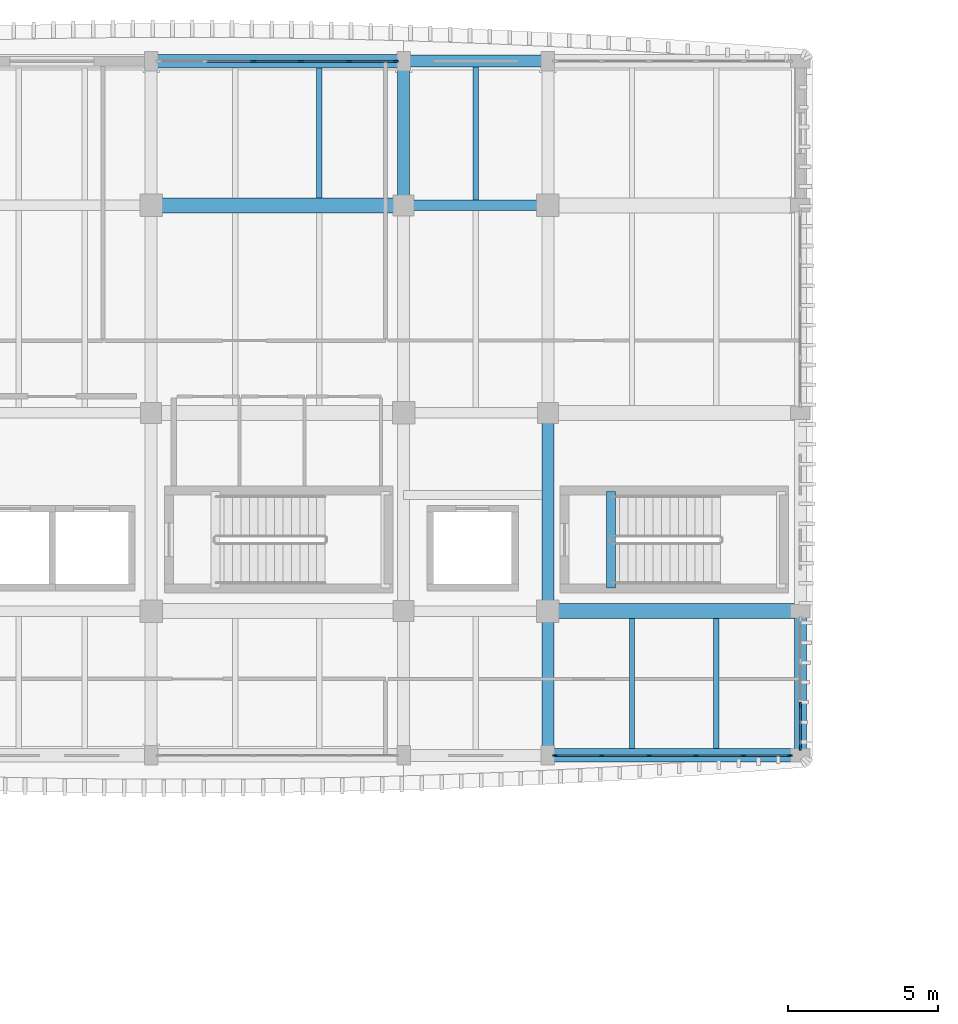
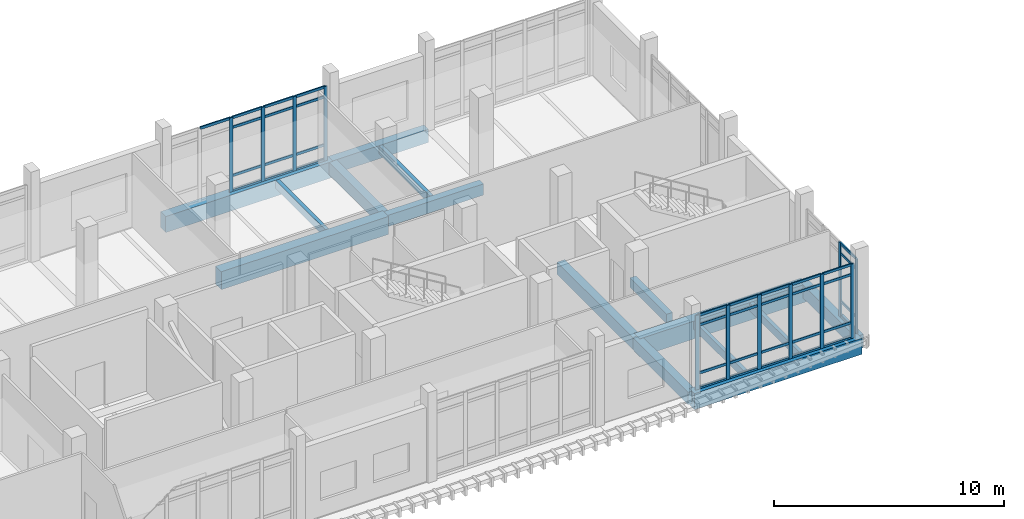
# One storey, part 5 of 37: 49 members, 15 beams, 3 elements without a shape of their own.
"""IFC4 building model written with IfcOpenShell, lengths in metres."""

import ifcopenshell
import ifcopenshell.guid

model = None  # the IFC model being written
_history = None  # IfcOwnerHistory: only IFC2X3 demands one
_inside = {}  # id of a spatial element -> (the spatial element, [elements in it])
_under = {}  # id of a project, library or spatial element -> (it, [spatial elements below it])
_declared = {}  # id of a project -> (the project, [libraries it declares])
_typed = {}  # id of a type object -> (the type object, [elements of that type])
_made_of = {}  # id of a material, layer set ... -> (it, [elements and type objects made of it])


def new_model(schema):
    """Start an empty IFC model of exactly this schema.

    Asked for "IFC4X3", IfcOpenShell would pick the latest addendum, in which some entities
    have other attributes; the version numbers below select the first issue.
    IFC2X3 requires an IfcOwnerHistory on every rooted entity: one is made here for all.
    """
    global model, _history
    if schema == "IFC4X3":
        model = ifcopenshell.file(schema_version=(4, 3, 0, 0))
    else:
        model = ifcopenshell.file(schema=schema)
    _inside.clear()
    _under.clear()
    _declared.clear()
    _typed.clear()
    _made_of.clear()
    _history = None
    if model.schema == "IFC2X3":
        org = make("IfcOrganization", Name="unknown")
        user = make(
            "IfcPersonAndOrganization",
            ThePerson=make("IfcPerson", FamilyName="unknown"),
            TheOrganization=org,
        )
        app = make(
            "IfcApplication",
            ApplicationDeveloper=org,
            Version="unknown",
            ApplicationFullName="unknown",
            ApplicationIdentifier="unknown",
        )
        _history = make(
            "IfcOwnerHistory",
            OwningUser=user,
            OwningApplication=app,
            ChangeAction="ADDED",
            CreationDate=0,
        )
    return model


def make(cls, **values):
    """One entity of the class cls with the attributes given. An attribute that is None is left unset."""
    return model.create_entity(
        cls, **{name: value for name, value in values.items() if value is not None}
    )


def rooted(cls, **values):
    """An entity with a GlobalId (a new one), such as an element, a storey or a relation."""
    return make(cls, GlobalId=ifcopenshell.guid.new(), OwnerHistory=_history, **values)


def si_unit(unit_type, name, prefix=None):
    """IfcSIUnit, for example si_unit("LENGTHUNIT", "METRE", prefix="MILLI")."""
    return make("IfcSIUnit", UnitType=unit_type, Prefix=prefix, Name=name)


def assignment(units):
    """IfcUnitAssignment: the units of a project."""
    return None if units is None else make("IfcUnitAssignment", Units=units)


def point(xyz):
    """IfcCartesianPoint."""
    return None if xyz is None else make("IfcCartesianPoint", Coordinates=xyz)


def direction(xyz):
    """IfcDirection."""
    return None if xyz is None else make("IfcDirection", DirectionRatios=xyz)


def frame(location, z_axis=None, x_axis=None):
    """IfcAxis2Placement3D, a coordinate frame: its origin and axes. An axis left out is left unset."""
    return make(
        "IfcAxis2Placement3D",
        Location=point(location),
        Axis=direction(z_axis),
        RefDirection=direction(x_axis),
    )


def frame_2d(location, x_axis=None):
    """IfcAxis2Placement2D, a coordinate frame in the plane: its origin and x axis."""
    return make(
        "IfcAxis2Placement2D", Location=point(location), RefDirection=direction(x_axis)
    )


def origin():
    """The frame at (0, 0, 0) with its axes left unset."""
    return frame((0.0, 0.0, 0.0))


def origin_2d():
    """The frame at (0, 0) in the plane with its x axis left unset."""
    return frame_2d((0.0, 0.0))


def place(relative_to, where):
    """IfcLocalPlacement: puts the frame where relative to a parent placement (None: the world)."""
    return make(
        "IfcLocalPlacement", PlacementRelTo=relative_to, RelativePlacement=where
    )


def context(
    kind, dimensions, precision=None, world=None, true_north=None, identifier=None
):
    """IfcGeometricRepresentationContext, for example the 3D "Model" context."""
    return make(
        "IfcGeometricRepresentationContext",
        ContextIdentifier=identifier,
        ContextType=kind,
        CoordinateSpaceDimension=dimensions,
        Precision=precision,
        WorldCoordinateSystem=world,
        TrueNorth=true_north,
    )


def subcontext(parent, identifier, kind, view, scale=None):
    """IfcGeometricRepresentationSubContext, for example "Body" below "Model"."""
    return make(
        "IfcGeometricRepresentationSubContext",
        ContextIdentifier=identifier,
        ContextType=kind,
        ParentContext=parent,
        TargetScale=scale,
        TargetView=view,
    )


def project(units=None, contexts=None):
    """IfcProject with its units and contexts."""
    return rooted(
        "IfcProject",
        Name="project",
        RepresentationContexts=contexts,
        UnitsInContext=assignment(units),
    )


def spatial(cls, under=None, at=None, **own):
    """A site, building, storey or space (cls), placed at a placement, below another one or the project."""
    s = rooted(cls, ObjectPlacement=at, **own)
    if under is not None:
        _under.setdefault(under.id(), (under, []))[1].append(s)
    return s


def profile(cls, at=None, kind="AREA", **sizes):
    """A parametric profile (cls). Its sizes go by their IFC names, for example OverallWidth=200.0."""
    return make(cls, ProfileType=kind, Position=at, **sizes)


def rectangle(**sizes):
    """IfcRectangleProfileDef."""
    return profile("IfcRectangleProfileDef", **sizes)


def extrude(swept, where, along, depth):
    """IfcExtrudedAreaSolid: the profile swept, set in the frame where, extruded along a direction by depth."""
    return make(
        "IfcExtrudedAreaSolid",
        SweptArea=swept,
        Position=where,
        ExtrudedDirection=direction(along),
        Depth=depth,
    )


def shape(context_of_items, identifier, shape_type, items):
    """IfcShapeRepresentation: the items that make up one representation, for example the "Body"."""
    return make(
        "IfcShapeRepresentation",
        ContextOfItems=context_of_items,
        RepresentationIdentifier=identifier,
        RepresentationType=shape_type,
        Items=items,
    )


def material(Name=None, Category=None):
    """IfcMaterial."""
    return make("IfcMaterial", Name=Name, Category=Category)


def material_profile(
    of_material, cross_section, Name=None, Category=None, Priority=None
):
    """IfcMaterialProfile: a cross section and its material."""
    return make(
        "IfcMaterialProfile",
        Name=Name,
        Material=of_material,
        Profile=cross_section,
        Priority=Priority,
        Category=Category,
    )


def profile_set(profiles, Name=None, composite=None):
    """IfcMaterialProfileSet."""
    return make(
        "IfcMaterialProfileSet",
        Name=Name,
        MaterialProfiles=profiles,
        CompositeProfile=composite,
    )


def made_of(thing, what):
    """Note that an element or type object is made of a material, layer set ...; save() writes the relation."""
    if what is not None:
        _made_of.setdefault(what.id(), (what, []))[1].append(thing)
    return thing


def type_object(cls, material=None, **own):
    """A type object (cls), such as IfcWallType, which elements share."""
    return made_of(rooted(cls, **own), material)


def element(
    cls,
    number,
    at=None,
    inside=None,
    cuts=None,
    type_object=None,
    material=None,
    context=None,
    identifier="Body",
    shape_type=None,
    held_by="IfcProductDefinitionShape",
    body=None,
    shapes=None,
    **own,
):
    """One element of the class cls, such as IfcWall. Its Tag is "e" and its number.

    at: its placement. inside: the storey or other place that contains it. cuts: it is an
    opening in that element (IfcRelVoidsElement). A single representation is given by context,
    identifier, shape_type and body (its items); several are given by shapes. held_by: the class
    of the entity that holds the representations. save() writes the other relations.
    """
    e = rooted(cls, Tag="e%d" % number, ObjectPlacement=at, **own)
    if body is not None:
        shapes = [shape(context, identifier, shape_type, body)]
    if shapes is not None:
        e.Representation = make(held_by, Representations=shapes)
    if inside is not None:
        _inside.setdefault(inside.id(), (inside, []))[1].append(e)
    if cuts is not None:
        rooted(
            "IfcRelVoidsElement", RelatingBuildingElement=cuts, RelatedOpeningElement=e
        )
    if type_object is not None:
        _typed.setdefault(type_object.id(), (type_object, []))[1].append(e)
    return made_of(e, material)


def aggregate(whole, parts):
    """IfcRelAggregates: a whole, such as a stair, and the parts it consists of."""
    return rooted("IfcRelAggregates", RelatingObject=whole, RelatedObjects=parts)


def save(model, path):
    """Write the relations noted so far, then the file.

    IfcRelAggregates (storeys below a building ...), IfcRelContainedInSpatialStructure (elements
    in a storey), IfcRelDefinesByType, IfcRelAssociatesMaterial and IfcRelDeclares: one each for
    every whole, place, type object, material and project.
    """
    for whole, parts in _under.values():
        aggregate(whole, parts)
    for where, things in _inside.values():
        rooted(
            "IfcRelContainedInSpatialStructure",
            RelatedElements=things,
            RelatingStructure=where,
        )
    for kind, things in _typed.values():
        rooted("IfcRelDefinesByType", RelatedObjects=things, RelatingType=kind)
    for what, things in _made_of.values():
        rooted("IfcRelAssociatesMaterial", RelatedObjects=things, RelatingMaterial=what)
    for by, libraries in _declared.values():
        rooted("IfcRelDeclares", RelatingContext=by, RelatedDefinitions=libraries)
    model.write(path)


model = new_model("IFC4")

# Units and contexts
model_context = context("Model", 3, precision=1e-05, world=origin(), true_north=direction((0.0, 1.0)))
body_context = subcontext(model_context, "Body", "Model", "MODEL_VIEW")
ifc_project = project(units=[si_unit("LENGTHUNIT", "METRE"), si_unit("AREAUNIT", "SQUARE_METRE"), si_unit("VOLUMEUNIT", "CUBIC_METRE"), si_unit("PLANEANGLEUNIT", "RADIAN"), si_unit("MASSUNIT", "GRAM", prefix="KILO")], contexts=[model_context])

# Site, building, storey
site_placement = place(None, origin())
site = spatial("IfcSite", under=ifc_project, at=site_placement, CompositionType="ELEMENT")
building_placement = place(site_placement, origin())
building = spatial("IfcBuilding", under=site, at=building_placement, Name="Dornvale Research Institute", CompositionType="ELEMENT")
storey_placement = place(building_placement, frame((0.0, 0.0, 29.39990234375)))
storey = spatial("IfcBuildingStorey", under=building, at=storey_placement, Name="L06", CompositionType="ELEMENT", Elevation=29.39990234375)

# Beams
ifc_material_1 = material(Name="Concrete f'c 45 MPa (C35/45)", Category="concrete")
ifc_material_profile_1 = material_profile(ifc_material_1, rectangle(XDim=0.300048828125, YDim=0.5, at=origin_2d()), Name="RC 300x500")
ifc_profile_set_1 = profile_set([ifc_material_profile_1], Name="Concrete f'c 45 MPa (C35/45)")
beam_type_1 = type_object("IfcBeamType", Name="Beam_RC300x500_Trim", PredefinedType="BEAM", material=ifc_profile_set_1)
beam_1_placement = place(storey_placement, frame((35.10009765625, 104.580078125, -0.25), z_axis=(0.0, 1.0, 0.0), x_axis=(-1.0, 0.0, 0.0)))
element("IfcBeam", 1, at=beam_1_placement, inside=storey, type_object=beam_type_1, Name="L06 ST-2 stair landing trimmer beam #30", PredefinedType="BEAM", context=body_context, shape_type="SweptSolid", body=[
    extrude(rectangle(XDim=0.300048828125, YDim=0.5, at=origin_2d()), origin(), (0.0, 0.0, 1.0), 3.199951171875),
])
ifc_material_2 = material(Name="Concrete f'c 45 MPa (C35/45)", Category="concrete")
ifc_material_profile_2 = material_profile(ifc_material_2, rectangle(XDim=0.35009765625, YDim=0.60009765625, at=origin_2d()), Name="RC 350x600")
ifc_profile_set_2 = profile_set([ifc_material_profile_2], Name="Concrete f'c 45 MPa (C35/45)")
beam_type_2 = type_object("IfcBeamType", Name="Beam_RC350x600_Floor", PredefinedType="BEAM", material=ifc_profile_set_2)
beam_2_placement = place(storey_placement, frame((28.199951171875, 117.300048828125, -0.2998046875), z_axis=(1.0, 0.0, 0.0), x_axis=(0.0, 1.0, 0.0)))
element("IfcBeam", 2, at=beam_2_placement, inside=storey, type_object=beam_type_2, Name="L06 primary girder #1462", PredefinedType="BEAM", context=body_context, shape_type="SweptSolid", body=[
    extrude(rectangle(XDim=0.35009765625, YDim=0.60009765625, at=origin_2d()), origin(), (0.0, 0.0, 1.0), 4.800048828125),
])
ifc_material_3 = material(Name="Concrete f'c 45 MPa (C35/45)", Category="concrete")
ifc_material_profile_3 = material_profile(ifc_material_3, rectangle(XDim=0.39990234375, YDim=0.64990234375, at=origin_2d()), Name="RC 400x650")
ifc_profile_set_3 = profile_set([ifc_material_profile_3], Name="Concrete f'c 45 MPa (C35/45)")
beam_type_3 = type_object("IfcBeamType", Name="Beam_RC400x650_Floor", PredefinedType="BEAM", material=ifc_profile_set_3)
for number, where, z_axis, x_axis, name in (
    (3, (28.199951171875, 117.300048828125, -0.324951171875), (0.0, 1.0, 0.0), (-1.0, 0.0, 0.0), "L06 transverse girder #1489"),
    (4, (33.0, 99.0, -0.324951171875), (0.0, 1.0, 0.0), (-1.0, 0.0, 0.0), "L06 transverse girder #1490"),
):
    element("IfcBeam", number, at=place(storey_placement, frame(where, z_axis=z_axis, x_axis=x_axis)), inside=storey, type_object=beam_type_3, Name=name, PredefinedType="BEAM", context=body_context, shape_type="SweptSolid", body=[
        extrude(rectangle(XDim=0.39990234375, YDim=0.64990234375, at=origin_2d()), origin(), (0.0, 0.0, 1.0), 4.800048828125),
    ])
beam_3_placement = place(storey_placement, frame((33.0, 103.800048828125, -0.324951171875), z_axis=(0.0, 1.0, 0.0), x_axis=(-1.0, 0.0, 0.0)))
element("IfcBeam", 5, at=beam_3_placement, inside=storey, type_object=beam_type_3, Name="L06 transverse girder #1491", PredefinedType="BEAM", context=body_context, shape_type="SweptSolid", body=[
    extrude(rectangle(XDim=0.39990234375, YDim=0.64990234375, at=origin_2d()), origin(), (0.0, 0.0, 1.0), 6.599853515625),
])
ifc_material_4 = material(Name="Concrete f'c 45 MPa (C35/45)", Category="concrete")
ifc_material_profile_4 = material_profile(ifc_material_4, rectangle(XDim=0.5, YDim=0.949951171875, at=origin_2d()), Name="RC 500x950")
ifc_profile_set_4 = profile_set([ifc_material_profile_4], Name="Concrete f'c 45 MPa (C35/45)")
beam_type_4 = type_object("IfcBeamType", Name="Beam_RC500x950_Girder", PredefinedType="BEAM", material=ifc_profile_set_4)
for number, where, z_axis, x_axis, name in (
    (6, (33.0, 103.800048828125, -0.474853515625), (1.0, 0.0, 0.0), (0.0, 1.0, 0.0), "L06 primary girder #1451"),
    (7, (19.800048828125, 117.300048828125, -0.474853515625), (1.0, 0.0, 0.0), (0.0, 1.0, 0.0), "L06 primary girder #1461"),
):
    element("IfcBeam", number, at=place(storey_placement, frame(where, z_axis=z_axis, x_axis=x_axis)), inside=storey, type_object=beam_type_4, Name=name, PredefinedType="BEAM", context=body_context, shape_type="SweptSolid", body=[
        extrude(rectangle(XDim=0.5, YDim=0.949951171875, at=origin_2d()), origin(), (0.0, 0.0, 1.0), 8.39990234375),
    ])
ifc_material_5 = material(Name="Concrete f'c 45 MPa (C35/45)", Category="concrete")
ifc_material_profile_5 = material_profile(ifc_material_5, rectangle(XDim=0.179931640625, YDim=0.43505859375, at=origin_2d()), Name="RC 180x435")
ifc_profile_set_5 = profile_set([ifc_material_profile_5], Name="Concrete f'c 45 MPa (C35/45)")
beam_type_5 = type_object("IfcBeamType", Name="Joist_RC180x435_Rib", PredefinedType="JOIST", material=ifc_profile_set_5)
beam_4_placement = place(storey_placement, frame((25.39990234375, 117.550048828125, -0.21728515625), z_axis=(0.0, 1.0, 0.0), x_axis=(-1.0, 0.0, 0.0)))
element("IfcBeam", 8, at=beam_4_placement, inside=storey, type_object=beam_type_5, Name="L06 laboratory waffle joist #717", PredefinedType="JOIST", context=body_context, shape_type="SweptSolid", body=[
    extrude(rectangle(XDim=0.179931640625, YDim=0.43505859375, at=origin_2d()), origin(), (0.0, 0.0, 1.0), 4.324951171875),
])
beam_5_placement = place(storey_placement, frame((30.60009765625, 117.47509765625, -0.21728515625), z_axis=(0.0, 1.0, 0.0), x_axis=(-1.0, 0.0, 0.0)))
element("IfcBeam", 9, at=beam_5_placement, inside=storey, type_object=beam_type_5, Name="L06 laboratory waffle joist #720", PredefinedType="JOIST", context=body_context, shape_type="SweptSolid", body=[
    extrude(rectangle(XDim=0.179931640625, YDim=0.43505859375, at=origin_2d()), origin(), (0.0, 0.0, 1.0), 4.4248046875),
])
for number, where, z_axis, x_axis, name in (
    (10, (35.800048828125, 99.22509765625, -0.21728515625), (0.0, 1.0, 0.0), (-1.0, 0.0, 0.0), "L06 laboratory waffle joist #721"),
    (11, (38.60009765625, 99.22509765625, -0.21728515625), (0.0, 1.0, 0.0), (-1.0, 0.0, 0.0), "L06 laboratory waffle joist #722"),
):
    element("IfcBeam", number, at=place(storey_placement, frame(where, z_axis=z_axis, x_axis=x_axis)), inside=storey, type_object=beam_type_5, Name=name, PredefinedType="JOIST", context=body_context, shape_type="SweptSolid", body=[
        extrude(rectangle(XDim=0.179931640625, YDim=0.43505859375, at=origin_2d()), origin(), (0.0, 0.0, 1.0), 4.324951171875),
    ])

# Curtain wall, members
ifc_material_6 = material(Name="Low-E Argon Double Insulating Glazing Unit", Category="glass")
curtain_wall_type_1 = type_object("IfcCurtainWallType", Name="UnitisedCurtainWall_V5_7950x3950", PredefinedType="USERDEFINED", material=ifc_material_6)
curtain_wall_1_placement = place(storey_placement, origin())
curtain_wall_1 = element("IfcCurtainWall", 12, at=curtain_wall_1_placement, inside=storey, type_object=curtain_wall_type_1, Name="L06 V5 unitised curtain wall CW-30 #174", ObjectType="UNITISED CURTAIN WALL", PredefinedType="USERDEFINED")
ifc_material_7 = material(Name="Anodized Aluminum AA 6063-T6 Thermally Broken Frame", Category="aluminium")
ifc_material_profile_6 = material_profile(ifc_material_7, rectangle(XDim=0.06494140625, YDim=0.179931640625, at=origin_2d()), Name="ALU MULLION 65x180")
ifc_profile_set_6 = profile_set([ifc_material_profile_6], Name="Anodized Aluminum AA 6063-T6 Thermally Broken Frame")
member_type_1 = type_object("IfcMemberType", Name="Mullion_CW_65x180", PredefinedType="MULLION", material=ifc_profile_set_6)
member_1_placement = place(storey_placement, frame((23.205078125, 122.10009765625, 0.0), z_axis=(0.0, 0.0, 1.0), x_axis=(0.0, 1.0, 0.0)))
member_1 = element("IfcMember", 13, at=member_1_placement, type_object=member_type_1, Name="CW-30 mullion 3", PredefinedType="MULLION", context=body_context, shape_type="SweptSolid", body=[
    extrude(rectangle(XDim=0.06494140625, YDim=0.179931640625, at=origin_2d()), origin(), (0.0, 0.0, 1.0), 3.9501953125),
])
member_2_placement = place(storey_placement, frame((24.794921875, 122.10009765625, 0.0), z_axis=(0.0, 0.0, 1.0), x_axis=(0.0, 1.0, 0.0)))
member_2 = element("IfcMember", 14, at=member_2_placement, type_object=member_type_1, Name="CW-30 mullion 4", PredefinedType="MULLION", context=body_context, shape_type="SweptSolid", body=[
    extrude(rectangle(XDim=0.06494140625, YDim=0.179931640625, at=origin_2d()), origin(), (0.0, 0.0, 1.0), 3.9501953125),
])
member_3_placement = place(storey_placement, frame((26.385009765625, 122.10009765625, 0.0), z_axis=(0.0, 0.0, 1.0), x_axis=(0.0, 1.0, 0.0)))
member_3 = element("IfcMember", 15, at=member_3_placement, type_object=member_type_1, Name="CW-30 mullion 5", PredefinedType="MULLION", context=body_context, shape_type="SweptSolid", body=[
    extrude(rectangle(XDim=0.06494140625, YDim=0.179931640625, at=origin_2d()), origin(), (0.0, 0.0, 1.0), 3.9501953125),
])
member_4_placement = place(storey_placement, frame((27.9423828125, 122.10009765625, 0.0), z_axis=(0.0, 0.0, 1.0), x_axis=(0.0, 1.0, 0.0)))
member_4 = element("IfcMember", 16, at=member_4_placement, type_object=member_type_1, Name="CW-30 mullion 6", PredefinedType="MULLION", context=body_context, shape_type="SweptSolid", body=[
    extrude(rectangle(XDim=0.06494140625, YDim=0.179931640625, at=origin_2d()), origin(), (0.0, 0.0, 1.0), 3.9501953125),
])

ifc_material_8 = material(Name="Low-E Argon Double Insulating Glazing Unit", Category="glass")
curtain_wall_type_2 = type_object("IfcCurtainWallType", Name="UnitisedCurtainWall_V5_4350x3950", PredefinedType="USERDEFINED", material=ifc_material_8)
curtain_wall_2_placement = place(storey_placement, origin())
curtain_wall_2 = element("IfcCurtainWall", 17, at=curtain_wall_2_placement, inside=storey, type_object=curtain_wall_type_2, Name="L06 V5 unitised curtain wall CW-33 #177", ObjectType="UNITISED CURTAIN WALL", PredefinedType="USERDEFINED")
member_5_placement = place(storey_placement, frame((41.39990234375, 100.675048828125, 0.0), z_axis=(0.0, 0.0, 1.0), x_axis=(1.0, 0.0, 0.0)))
member_5 = element("IfcMember", 18, at=member_5_placement, type_object=member_type_1, Name="CW-33 mullion 3", PredefinedType="MULLION", context=body_context, shape_type="SweptSolid", body=[
    extrude(rectangle(XDim=0.06494140625, YDim=0.179931640625, at=origin_2d()), origin(), (0.0, 0.0, 1.0), 3.9501953125),
])
member_6_placement = place(storey_placement, frame((41.39990234375, 99.257568359375, 0.0), z_axis=(0.0, 0.0, 1.0), x_axis=(1.0, 0.0, 0.0)))
member_6 = element("IfcMember", 19, at=member_6_placement, type_object=member_type_1, Name="CW-33 mullion 4", PredefinedType="MULLION", context=body_context, shape_type="SweptSolid", body=[
    extrude(rectangle(XDim=0.06494140625, YDim=0.179931640625, at=origin_2d()), origin(), (0.0, 0.0, 1.0), 3.9501953125),
])

ifc_material_9 = material(Name="Low-E Argon Double Insulating Glazing Unit", Category="glass")
curtain_wall_type_3 = type_object("IfcCurtainWallType", Name="UnitisedCurtainWall_V5_7850x3950", PredefinedType="USERDEFINED", material=ifc_material_9)
curtain_wall_3_placement = place(storey_placement, origin())
curtain_wall_3 = element("IfcCurtainWall", 20, at=curtain_wall_3_placement, inside=storey, type_object=curtain_wall_type_3, Name="L06 V5 unitised curtain wall CW-31 #178", ObjectType="UNITISED CURTAIN WALL", PredefinedType="USERDEFINED")
member_7_placement = place(storey_placement, frame((41.04248046875, 99.0, 0.0), z_axis=(0.0, 0.0, 1.0), x_axis=(0.0, -1.0, 0.0)))
member_7 = element("IfcMember", 21, at=member_7_placement, type_object=member_type_1, Name="CW-31 mullion 1", PredefinedType="MULLION", context=body_context, shape_type="SweptSolid", body=[
    extrude(rectangle(XDim=0.06494140625, YDim=0.179931640625, at=origin_2d()), origin(), (0.0, 0.0, 1.0), 3.9501953125),
])
member_8_placement = place(storey_placement, frame((39.5048828125, 99.0, 0.0), z_axis=(0.0, 0.0, 1.0), x_axis=(0.0, -1.0, 0.0)))
member_8 = element("IfcMember", 22, at=member_8_placement, type_object=member_type_1, Name="CW-31 mullion 2", PredefinedType="MULLION", context=body_context, shape_type="SweptSolid", body=[
    extrude(rectangle(XDim=0.06494140625, YDim=0.179931640625, at=origin_2d()), origin(), (0.0, 0.0, 1.0), 3.9501953125),
])
member_9_placement = place(storey_placement, frame((37.93505859375, 99.0, 0.0), z_axis=(0.0, 0.0, 1.0), x_axis=(0.0, -1.0, 0.0)))
member_9 = element("IfcMember", 23, at=member_9_placement, type_object=member_type_1, Name="CW-31 mullion 3", PredefinedType="MULLION", context=body_context, shape_type="SweptSolid", body=[
    extrude(rectangle(XDim=0.06494140625, YDim=0.179931640625, at=origin_2d()), origin(), (0.0, 0.0, 1.0), 3.9501953125),
])
member_10_placement = place(storey_placement, frame((36.364990234375, 99.0, 0.0), z_axis=(0.0, 0.0, 1.0), x_axis=(0.0, -1.0, 0.0)))
member_10 = element("IfcMember", 24, at=member_10_placement, type_object=member_type_1, Name="CW-31 mullion 4", PredefinedType="MULLION", context=body_context, shape_type="SweptSolid", body=[
    extrude(rectangle(XDim=0.06494140625, YDim=0.179931640625, at=origin_2d()), origin(), (0.0, 0.0, 1.0), 3.9501953125),
])
member_11_placement = place(storey_placement, frame((34.794921875, 99.0, 0.0), z_axis=(0.0, 0.0, 1.0), x_axis=(0.0, -1.0, 0.0)))
member_11 = element("IfcMember", 25, at=member_11_placement, type_object=member_type_1, Name="CW-31 mullion 5", PredefinedType="MULLION", context=body_context, shape_type="SweptSolid", body=[
    extrude(rectangle(XDim=0.06494140625, YDim=0.179931640625, at=origin_2d()), origin(), (0.0, 0.0, 1.0), 3.9501953125),
])
member_12_placement = place(storey_placement, frame((33.257568359375, 99.0, 0.0), z_axis=(0.0, 0.0, 1.0), x_axis=(0.0, -1.0, 0.0)))
member_12 = element("IfcMember", 26, at=member_12_placement, type_object=member_type_1, Name="CW-31 mullion 6", PredefinedType="MULLION", context=body_context, shape_type="SweptSolid", body=[
    extrude(rectangle(XDim=0.06494140625, YDim=0.179931640625, at=origin_2d()), origin(), (0.0, 0.0, 1.0), 3.9501953125),
])

# Beams
ifc_material_10 = material(Name="Concrete f'c 45 MPa (C35/45)", Category="concrete")
ifc_material_profile_7 = material_profile(ifc_material_10, rectangle(XDim=0.39990234375, YDim=0.699951171875, at=origin_2d()), Name="RC 400x700")
ifc_profile_set_7 = profile_set([ifc_material_profile_7], Name="Concrete f'c 45 MPa (C35/45)")
beam_type_6 = type_object("IfcBeamType", Name="Spandrel_RC400x700_Ext", PredefinedType="SPANDREL", material=ifc_profile_set_7)
for number, where, z_axis, x_axis, name in (
    (27, (28.199951171875, 122.10009765625, -0.349853515625), (1.0, 0.0, 0.0), (0.0, 1.0, 0.0), "L06 perimeter spandrel #1468"),
    (28, (41.39990234375, 99.0, -0.349853515625), (0.0, 1.0, 0.0), (-1.0, 0.0, 0.0), "L06 perimeter spandrel #1494"),
):
    element("IfcBeam", number, at=place(storey_placement, frame(where, z_axis=z_axis, x_axis=x_axis)), inside=storey, type_object=beam_type_6, Name=name, PredefinedType="SPANDREL", context=body_context, shape_type="SweptSolid", body=[
        extrude(rectangle(XDim=0.39990234375, YDim=0.699951171875, at=origin_2d()), origin(), (0.0, 0.0, 1.0), 4.800048828125),
    ])
ifc_material_11 = material(Name="Concrete f'c 45 MPa (C35/45)", Category="concrete")
ifc_material_profile_8 = material_profile(ifc_material_11, rectangle(XDim=0.449951171875, YDim=0.85009765625, at=origin_2d()), Name="RC 450x850")
ifc_profile_set_8 = profile_set([ifc_material_profile_8], Name="Concrete f'c 45 MPa (C35/45)")
beam_type_7 = type_object("IfcBeamType", Name="Spandrel_RC450x850_Ext", PredefinedType="SPANDREL", material=ifc_profile_set_8)
for number, where, z_axis, x_axis, name in (
    (29, (33.0, 99.0, -0.4248046875), (1.0, 0.0, 0.0), (0.0, 1.0, 0.0), "L06 perimeter spandrel #1445"),
    (30, (19.800048828125, 122.10009765625, -0.4248046875), (1.0, 0.0, 0.0), (0.0, 1.0, 0.0), "L06 perimeter spandrel #1467"),
):
    element("IfcBeam", number, at=place(storey_placement, frame(where, z_axis=z_axis, x_axis=x_axis)), inside=storey, type_object=beam_type_7, Name=name, PredefinedType="SPANDREL", context=body_context, shape_type="SweptSolid", body=[
        extrude(rectangle(XDim=0.449951171875, YDim=0.85009765625, at=origin_2d()), origin(), (0.0, 0.0, 1.0), 8.39990234375),
    ])

# Member
ifc_material_12 = material(Name="Anodized Aluminum AA 6063-T6 Thermally Broken Frame", Category="aluminium")
ifc_material_profile_9 = material_profile(ifc_material_12, rectangle(XDim=0.06494140625, YDim=0.135009765625, at=origin_2d()), Name="ALU TRANSOM 65x135")
ifc_profile_set_9 = profile_set([ifc_material_profile_9], Name="Anodized Aluminum AA 6063-T6 Thermally Broken Frame")
member_type_2 = type_object("IfcMemberType", Name="Transom_CW_65x135", PredefinedType="USERDEFINED", material=ifc_profile_set_9)
member_13_placement = place(storey_placement, frame((21.6474609375, 122.10009765625, 3.91748046875), z_axis=(1.0, 0.0, 0.0), x_axis=(0.0, 1.0, 0.0)))
member_13 = element("IfcMember", 31, at=member_13_placement, type_object=member_type_2, Name="CW-30 transom 2.4", ObjectType="TRANSOM", PredefinedType="USERDEFINED", context=body_context, shape_type="SweptSolid", body=[
    extrude(rectangle(XDim=0.06494140625, YDim=0.135009765625, at=origin_2d()), origin(), (0.0, 0.0, 1.0), 1.525146484375),
])

member_14_placement = place(storey_placement, frame((23.237548828125, 122.10009765625, 0.03271484375), z_axis=(1.0, 0.0, 0.0), x_axis=(0.0, 1.0, 0.0)))
member_14 = element("IfcMember", 32, at=member_14_placement, type_object=member_type_2, Name="CW-30 transom 3.1", ObjectType="TRANSOM", PredefinedType="USERDEFINED", context=body_context, shape_type="SweptSolid", body=[
    extrude(rectangle(XDim=0.06494140625, YDim=0.135009765625, at=origin_2d()), origin(), (0.0, 0.0, 1.0), 1.52490234375),
])

member_15_placement = place(storey_placement, frame((23.237548828125, 122.10009765625, 0.85009765625), z_axis=(1.0, 0.0, 0.0), x_axis=(0.0, 1.0, 0.0)))
member_15 = element("IfcMember", 33, at=member_15_placement, type_object=member_type_2, Name="CW-30 transom 3.2", ObjectType="TRANSOM", PredefinedType="USERDEFINED", context=body_context, shape_type="SweptSolid", body=[
    extrude(rectangle(XDim=0.06494140625, YDim=0.135009765625, at=origin_2d()), origin(), (0.0, 0.0, 1.0), 1.52490234375),
])

member_16_placement = place(storey_placement, frame((23.237548828125, 122.10009765625, 3.400146484375), z_axis=(1.0, 0.0, 0.0), x_axis=(0.0, 1.0, 0.0)))
member_16 = element("IfcMember", 34, at=member_16_placement, type_object=member_type_2, Name="CW-30 transom 3.3", ObjectType="TRANSOM", PredefinedType="USERDEFINED", context=body_context, shape_type="SweptSolid", body=[
    extrude(rectangle(XDim=0.06494140625, YDim=0.135009765625, at=origin_2d()), origin(), (0.0, 0.0, 1.0), 1.52490234375),
])

member_17_placement = place(storey_placement, frame((23.237548828125, 122.10009765625, 3.91748046875), z_axis=(1.0, 0.0, 0.0), x_axis=(0.0, 1.0, 0.0)))
member_17 = element("IfcMember", 35, at=member_17_placement, type_object=member_type_2, Name="CW-30 transom 3.4", ObjectType="TRANSOM", PredefinedType="USERDEFINED", context=body_context, shape_type="SweptSolid", body=[
    extrude(rectangle(XDim=0.06494140625, YDim=0.135009765625, at=origin_2d()), origin(), (0.0, 0.0, 1.0), 1.52490234375),
])

member_18_placement = place(storey_placement, frame((24.827392578125, 122.10009765625, 0.03271484375), z_axis=(1.0, 0.0, 0.0), x_axis=(0.0, 1.0, 0.0)))
member_18 = element("IfcMember", 36, at=member_18_placement, type_object=member_type_2, Name="CW-30 transom 4.1", ObjectType="TRANSOM", PredefinedType="USERDEFINED", context=body_context, shape_type="SweptSolid", body=[
    extrude(rectangle(XDim=0.06494140625, YDim=0.135009765625, at=origin_2d()), origin(), (0.0, 0.0, 1.0), 1.525146484375),
])

member_19_placement = place(storey_placement, frame((24.827392578125, 122.10009765625, 0.85009765625), z_axis=(1.0, 0.0, 0.0), x_axis=(0.0, 1.0, 0.0)))
member_19 = element("IfcMember", 37, at=member_19_placement, type_object=member_type_2, Name="CW-30 transom 4.2", ObjectType="TRANSOM", PredefinedType="USERDEFINED", context=body_context, shape_type="SweptSolid", body=[
    extrude(rectangle(XDim=0.06494140625, YDim=0.135009765625, at=origin_2d()), origin(), (0.0, 0.0, 1.0), 1.525146484375),
])

member_20_placement = place(storey_placement, frame((24.827392578125, 122.10009765625, 3.400146484375), z_axis=(1.0, 0.0, 0.0), x_axis=(0.0, 1.0, 0.0)))
member_20 = element("IfcMember", 38, at=member_20_placement, type_object=member_type_2, Name="CW-30 transom 4.3", ObjectType="TRANSOM", PredefinedType="USERDEFINED", context=body_context, shape_type="SweptSolid", body=[
    extrude(rectangle(XDim=0.06494140625, YDim=0.135009765625, at=origin_2d()), origin(), (0.0, 0.0, 1.0), 1.525146484375),
])

member_21_placement = place(storey_placement, frame((24.827392578125, 122.10009765625, 3.91748046875), z_axis=(1.0, 0.0, 0.0), x_axis=(0.0, 1.0, 0.0)))
member_21 = element("IfcMember", 39, at=member_21_placement, type_object=member_type_2, Name="CW-30 transom 4.4", ObjectType="TRANSOM", PredefinedType="USERDEFINED", context=body_context, shape_type="SweptSolid", body=[
    extrude(rectangle(XDim=0.06494140625, YDim=0.135009765625, at=origin_2d()), origin(), (0.0, 0.0, 1.0), 1.525146484375),
])

member_22_placement = place(storey_placement, frame((26.41748046875, 122.10009765625, 0.03271484375), z_axis=(1.0, 0.0, 0.0), x_axis=(0.0, 1.0, 0.0)))
member_22 = element("IfcMember", 40, at=member_22_placement, type_object=member_type_2, Name="CW-30 transom 5.1", ObjectType="TRANSOM", PredefinedType="USERDEFINED", context=body_context, shape_type="SweptSolid", body=[
    extrude(rectangle(XDim=0.06494140625, YDim=0.135009765625, at=origin_2d()), origin(), (0.0, 0.0, 1.0), 1.492431640625),
])

member_23_placement = place(storey_placement, frame((26.41748046875, 122.10009765625, 0.85009765625), z_axis=(1.0, 0.0, 0.0), x_axis=(0.0, 1.0, 0.0)))
member_23 = element("IfcMember", 41, at=member_23_placement, type_object=member_type_2, Name="CW-30 transom 5.2", ObjectType="TRANSOM", PredefinedType="USERDEFINED", context=body_context, shape_type="SweptSolid", body=[
    extrude(rectangle(XDim=0.06494140625, YDim=0.135009765625, at=origin_2d()), origin(), (0.0, 0.0, 1.0), 1.492431640625),
])

member_24_placement = place(storey_placement, frame((26.41748046875, 122.10009765625, 3.400146484375), z_axis=(1.0, 0.0, 0.0), x_axis=(0.0, 1.0, 0.0)))
member_24 = element("IfcMember", 42, at=member_24_placement, type_object=member_type_2, Name="CW-30 transom 5.3", ObjectType="TRANSOM", PredefinedType="USERDEFINED", context=body_context, shape_type="SweptSolid", body=[
    extrude(rectangle(XDim=0.06494140625, YDim=0.135009765625, at=origin_2d()), origin(), (0.0, 0.0, 1.0), 1.492431640625),
])

member_25_placement = place(storey_placement, frame((26.41748046875, 122.10009765625, 3.91748046875), z_axis=(1.0, 0.0, 0.0), x_axis=(0.0, 1.0, 0.0)))
member_25 = element("IfcMember", 43, at=member_25_placement, type_object=member_type_2, Name="CW-30 transom 5.4", ObjectType="TRANSOM", PredefinedType="USERDEFINED", context=body_context, shape_type="SweptSolid", body=[
    extrude(rectangle(XDim=0.06494140625, YDim=0.135009765625, at=origin_2d()), origin(), (0.0, 0.0, 1.0), 1.492431640625),
])

aggregate(curtain_wall_1, [member_1, member_2, member_3, member_4, member_13, member_14, member_15, member_16, member_17, member_18, member_19, member_20, member_21, member_22, member_23, member_24, member_25])

member_26_placement = place(storey_placement, frame((41.39990234375, 100.642578125, 0.03271484375), z_axis=(0.0, -1.0, 0.0), x_axis=(1.0, 0.0, 0.0)))
member_26 = element("IfcMember", 44, at=member_26_placement, type_object=member_type_2, Name="CW-33 transom 3.1", ObjectType="TRANSOM", PredefinedType="USERDEFINED", context=body_context, shape_type="SweptSolid", body=[
    extrude(rectangle(XDim=0.06494140625, YDim=0.135009765625, at=origin_2d()), origin(), (0.0, 0.0, 1.0), 1.3525390625),
])

member_27_placement = place(storey_placement, frame((41.39990234375, 100.642578125, 0.85009765625), z_axis=(0.0, -1.0, 0.0), x_axis=(1.0, 0.0, 0.0)))
member_27 = element("IfcMember", 45, at=member_27_placement, type_object=member_type_2, Name="CW-33 transom 3.2", ObjectType="TRANSOM", PredefinedType="USERDEFINED", context=body_context, shape_type="SweptSolid", body=[
    extrude(rectangle(XDim=0.06494140625, YDim=0.135009765625, at=origin_2d()), origin(), (0.0, 0.0, 1.0), 1.3525390625),
])

member_28_placement = place(storey_placement, frame((41.39990234375, 100.642578125, 3.400146484375), z_axis=(0.0, -1.0, 0.0), x_axis=(1.0, 0.0, 0.0)))
member_28 = element("IfcMember", 46, at=member_28_placement, type_object=member_type_2, Name="CW-33 transom 3.3", ObjectType="TRANSOM", PredefinedType="USERDEFINED", context=body_context, shape_type="SweptSolid", body=[
    extrude(rectangle(XDim=0.06494140625, YDim=0.135009765625, at=origin_2d()), origin(), (0.0, 0.0, 1.0), 1.3525390625),
])

member_29_placement = place(storey_placement, frame((41.39990234375, 100.642578125, 3.91748046875), z_axis=(0.0, -1.0, 0.0), x_axis=(1.0, 0.0, 0.0)))
member_29 = element("IfcMember", 47, at=member_29_placement, type_object=member_type_2, Name="CW-33 transom 3.4", ObjectType="TRANSOM", PredefinedType="USERDEFINED", context=body_context, shape_type="SweptSolid", body=[
    extrude(rectangle(XDim=0.06494140625, YDim=0.135009765625, at=origin_2d()), origin(), (0.0, 0.0, 1.0), 1.3525390625),
])

aggregate(curtain_wall_2, [member_5, member_6, member_26, member_27, member_28, member_29])

member_30_placement = place(storey_placement, frame((41.010009765625, 99.0, 0.03271484375), z_axis=(-1.0, 0.0, 0.0), x_axis=(0.0, -1.0, 0.0)))
member_30 = element("IfcMember", 48, at=member_30_placement, type_object=member_type_2, Name="CW-31 transom 1.1", ObjectType="TRANSOM", PredefinedType="USERDEFINED", context=body_context, shape_type="SweptSolid", body=[
    extrude(rectangle(XDim=0.06494140625, YDim=0.135009765625, at=origin_2d()), origin(), (0.0, 0.0, 1.0), 1.472412109375),
])

member_31_placement = place(storey_placement, frame((41.010009765625, 99.0, 0.85009765625), z_axis=(-1.0, 0.0, 0.0), x_axis=(0.0, -1.0, 0.0)))
member_31 = element("IfcMember", 49, at=member_31_placement, type_object=member_type_2, Name="CW-31 transom 1.2", ObjectType="TRANSOM", PredefinedType="USERDEFINED", context=body_context, shape_type="SweptSolid", body=[
    extrude(rectangle(XDim=0.06494140625, YDim=0.135009765625, at=origin_2d()), origin(), (0.0, 0.0, 1.0), 1.472412109375),
])

member_32_placement = place(storey_placement, frame((41.010009765625, 99.0, 3.400146484375), z_axis=(-1.0, 0.0, 0.0), x_axis=(0.0, -1.0, 0.0)))
member_32 = element("IfcMember", 50, at=member_32_placement, type_object=member_type_2, Name="CW-31 transom 1.3", ObjectType="TRANSOM", PredefinedType="USERDEFINED", context=body_context, shape_type="SweptSolid", body=[
    extrude(rectangle(XDim=0.06494140625, YDim=0.135009765625, at=origin_2d()), origin(), (0.0, 0.0, 1.0), 1.472412109375),
])

member_33_placement = place(storey_placement, frame((41.010009765625, 99.0, 3.91748046875), z_axis=(-1.0, 0.0, 0.0), x_axis=(0.0, -1.0, 0.0)))
member_33 = element("IfcMember", 51, at=member_33_placement, type_object=member_type_2, Name="CW-31 transom 1.4", ObjectType="TRANSOM", PredefinedType="USERDEFINED", context=body_context, shape_type="SweptSolid", body=[
    extrude(rectangle(XDim=0.06494140625, YDim=0.135009765625, at=origin_2d()), origin(), (0.0, 0.0, 1.0), 1.472412109375),
])

member_34_placement = place(storey_placement, frame((39.472412109375, 99.0, 0.03271484375), z_axis=(-1.0, 0.0, 0.0), x_axis=(0.0, -1.0, 0.0)))
member_34 = element("IfcMember", 52, at=member_34_placement, type_object=member_type_2, Name="CW-31 transom 2.1", ObjectType="TRANSOM", PredefinedType="USERDEFINED", context=body_context, shape_type="SweptSolid", body=[
    extrude(rectangle(XDim=0.06494140625, YDim=0.135009765625, at=origin_2d()), origin(), (0.0, 0.0, 1.0), 1.5048828125),
])

member_35_placement = place(storey_placement, frame((39.472412109375, 99.0, 0.85009765625), z_axis=(-1.0, 0.0, 0.0), x_axis=(0.0, -1.0, 0.0)))
member_35 = element("IfcMember", 53, at=member_35_placement, type_object=member_type_2, Name="CW-31 transom 2.2", ObjectType="TRANSOM", PredefinedType="USERDEFINED", context=body_context, shape_type="SweptSolid", body=[
    extrude(rectangle(XDim=0.06494140625, YDim=0.135009765625, at=origin_2d()), origin(), (0.0, 0.0, 1.0), 1.5048828125),
])

member_36_placement = place(storey_placement, frame((39.472412109375, 99.0, 3.400146484375), z_axis=(-1.0, 0.0, 0.0), x_axis=(0.0, -1.0, 0.0)))
member_36 = element("IfcMember", 54, at=member_36_placement, type_object=member_type_2, Name="CW-31 transom 2.3", ObjectType="TRANSOM", PredefinedType="USERDEFINED", context=body_context, shape_type="SweptSolid", body=[
    extrude(rectangle(XDim=0.06494140625, YDim=0.135009765625, at=origin_2d()), origin(), (0.0, 0.0, 1.0), 1.5048828125),
])

member_37_placement = place(storey_placement, frame((39.472412109375, 99.0, 3.91748046875), z_axis=(-1.0, 0.0, 0.0), x_axis=(0.0, -1.0, 0.0)))
member_37 = element("IfcMember", 55, at=member_37_placement, type_object=member_type_2, Name="CW-31 transom 2.4", ObjectType="TRANSOM", PredefinedType="USERDEFINED", context=body_context, shape_type="SweptSolid", body=[
    extrude(rectangle(XDim=0.06494140625, YDim=0.135009765625, at=origin_2d()), origin(), (0.0, 0.0, 1.0), 1.5048828125),
])

member_38_placement = place(storey_placement, frame((37.902587890625, 99.0, 0.03271484375), z_axis=(-1.0, 0.0, 0.0), x_axis=(0.0, -1.0, 0.0)))
member_38 = element("IfcMember", 56, at=member_38_placement, type_object=member_type_2, Name="CW-31 transom 3.1", ObjectType="TRANSOM", PredefinedType="USERDEFINED", context=body_context, shape_type="SweptSolid", body=[
    extrude(rectangle(XDim=0.06494140625, YDim=0.135009765625, at=origin_2d()), origin(), (0.0, 0.0, 1.0), 1.505126953125),
])

member_39_placement = place(storey_placement, frame((37.902587890625, 99.0, 0.85009765625), z_axis=(-1.0, 0.0, 0.0), x_axis=(0.0, -1.0, 0.0)))
member_39 = element("IfcMember", 57, at=member_39_placement, type_object=member_type_2, Name="CW-31 transom 3.2", ObjectType="TRANSOM", PredefinedType="USERDEFINED", context=body_context, shape_type="SweptSolid", body=[
    extrude(rectangle(XDim=0.06494140625, YDim=0.135009765625, at=origin_2d()), origin(), (0.0, 0.0, 1.0), 1.505126953125),
])

member_40_placement = place(storey_placement, frame((37.902587890625, 99.0, 3.400146484375), z_axis=(-1.0, 0.0, 0.0), x_axis=(0.0, -1.0, 0.0)))
member_40 = element("IfcMember", 58, at=member_40_placement, type_object=member_type_2, Name="CW-31 transom 3.3", ObjectType="TRANSOM", PredefinedType="USERDEFINED", context=body_context, shape_type="SweptSolid", body=[
    extrude(rectangle(XDim=0.06494140625, YDim=0.135009765625, at=origin_2d()), origin(), (0.0, 0.0, 1.0), 1.505126953125),
])

member_41_placement = place(storey_placement, frame((37.902587890625, 99.0, 3.91748046875), z_axis=(-1.0, 0.0, 0.0), x_axis=(0.0, -1.0, 0.0)))
member_41 = element("IfcMember", 59, at=member_41_placement, type_object=member_type_2, Name="CW-31 transom 3.4", ObjectType="TRANSOM", PredefinedType="USERDEFINED", context=body_context, shape_type="SweptSolid", body=[
    extrude(rectangle(XDim=0.06494140625, YDim=0.135009765625, at=origin_2d()), origin(), (0.0, 0.0, 1.0), 1.505126953125),
])

member_42_placement = place(storey_placement, frame((36.33251953125, 99.0, 0.03271484375), z_axis=(-1.0, 0.0, 0.0), x_axis=(0.0, -1.0, 0.0)))
member_42 = element("IfcMember", 60, at=member_42_placement, type_object=member_type_2, Name="CW-31 transom 4.1", ObjectType="TRANSOM", PredefinedType="USERDEFINED", context=body_context, shape_type="SweptSolid", body=[
    extrude(rectangle(XDim=0.06494140625, YDim=0.135009765625, at=origin_2d()), origin(), (0.0, 0.0, 1.0), 1.505126953125),
])

member_43_placement = place(storey_placement, frame((36.33251953125, 99.0, 0.85009765625), z_axis=(-1.0, 0.0, 0.0), x_axis=(0.0, -1.0, 0.0)))
member_43 = element("IfcMember", 61, at=member_43_placement, type_object=member_type_2, Name="CW-31 transom 4.2", ObjectType="TRANSOM", PredefinedType="USERDEFINED", context=body_context, shape_type="SweptSolid", body=[
    extrude(rectangle(XDim=0.06494140625, YDim=0.135009765625, at=origin_2d()), origin(), (0.0, 0.0, 1.0), 1.505126953125),
])

member_44_placement = place(storey_placement, frame((36.33251953125, 99.0, 3.400146484375), z_axis=(-1.0, 0.0, 0.0), x_axis=(0.0, -1.0, 0.0)))
member_44 = element("IfcMember", 62, at=member_44_placement, type_object=member_type_2, Name="CW-31 transom 4.3", ObjectType="TRANSOM", PredefinedType="USERDEFINED", context=body_context, shape_type="SweptSolid", body=[
    extrude(rectangle(XDim=0.06494140625, YDim=0.135009765625, at=origin_2d()), origin(), (0.0, 0.0, 1.0), 1.505126953125),
])

member_45_placement = place(storey_placement, frame((36.33251953125, 99.0, 3.91748046875), z_axis=(-1.0, 0.0, 0.0), x_axis=(0.0, -1.0, 0.0)))
member_45 = element("IfcMember", 63, at=member_45_placement, type_object=member_type_2, Name="CW-31 transom 4.4", ObjectType="TRANSOM", PredefinedType="USERDEFINED", context=body_context, shape_type="SweptSolid", body=[
    extrude(rectangle(XDim=0.06494140625, YDim=0.135009765625, at=origin_2d()), origin(), (0.0, 0.0, 1.0), 1.505126953125),
])

member_46_placement = place(storey_placement, frame((34.762451171875, 99.0, 0.03271484375), z_axis=(-1.0, 0.0, 0.0), x_axis=(0.0, -1.0, 0.0)))
member_46 = element("IfcMember", 64, at=member_46_placement, type_object=member_type_2, Name="CW-31 transom 5.1", ObjectType="TRANSOM", PredefinedType="USERDEFINED", context=body_context, shape_type="SweptSolid", body=[
    extrude(rectangle(XDim=0.06494140625, YDim=0.135009765625, at=origin_2d()), origin(), (0.0, 0.0, 1.0), 1.472412109375),
])

member_47_placement = place(storey_placement, frame((34.762451171875, 99.0, 0.85009765625), z_axis=(-1.0, 0.0, 0.0), x_axis=(0.0, -1.0, 0.0)))
member_47 = element("IfcMember", 65, at=member_47_placement, type_object=member_type_2, Name="CW-31 transom 5.2", ObjectType="TRANSOM", PredefinedType="USERDEFINED", context=body_context, shape_type="SweptSolid", body=[
    extrude(rectangle(XDim=0.06494140625, YDim=0.135009765625, at=origin_2d()), origin(), (0.0, 0.0, 1.0), 1.472412109375),
])

member_48_placement = place(storey_placement, frame((34.762451171875, 99.0, 3.400146484375), z_axis=(-1.0, 0.0, 0.0), x_axis=(0.0, -1.0, 0.0)))
member_48 = element("IfcMember", 66, at=member_48_placement, type_object=member_type_2, Name="CW-31 transom 5.3", ObjectType="TRANSOM", PredefinedType="USERDEFINED", context=body_context, shape_type="SweptSolid", body=[
    extrude(rectangle(XDim=0.06494140625, YDim=0.135009765625, at=origin_2d()), origin(), (0.0, 0.0, 1.0), 1.472412109375),
])

member_49_placement = place(storey_placement, frame((34.762451171875, 99.0, 3.91748046875), z_axis=(-1.0, 0.0, 0.0), x_axis=(0.0, -1.0, 0.0)))
member_49 = element("IfcMember", 67, at=member_49_placement, type_object=member_type_2, Name="CW-31 transom 5.4", ObjectType="TRANSOM", PredefinedType="USERDEFINED", context=body_context, shape_type="SweptSolid", body=[
    extrude(rectangle(XDim=0.06494140625, YDim=0.135009765625, at=origin_2d()), origin(), (0.0, 0.0, 1.0), 1.472412109375),
])

aggregate(curtain_wall_3, [member_7, member_8, member_9, member_10, member_11, member_12, member_30, member_31, member_32, member_33, member_34, member_35, member_36, member_37, member_38, member_39, member_40, member_41, member_42, member_43, member_44, member_45, member_46, member_47, member_48, member_49])

save(model, "model.ifc")
